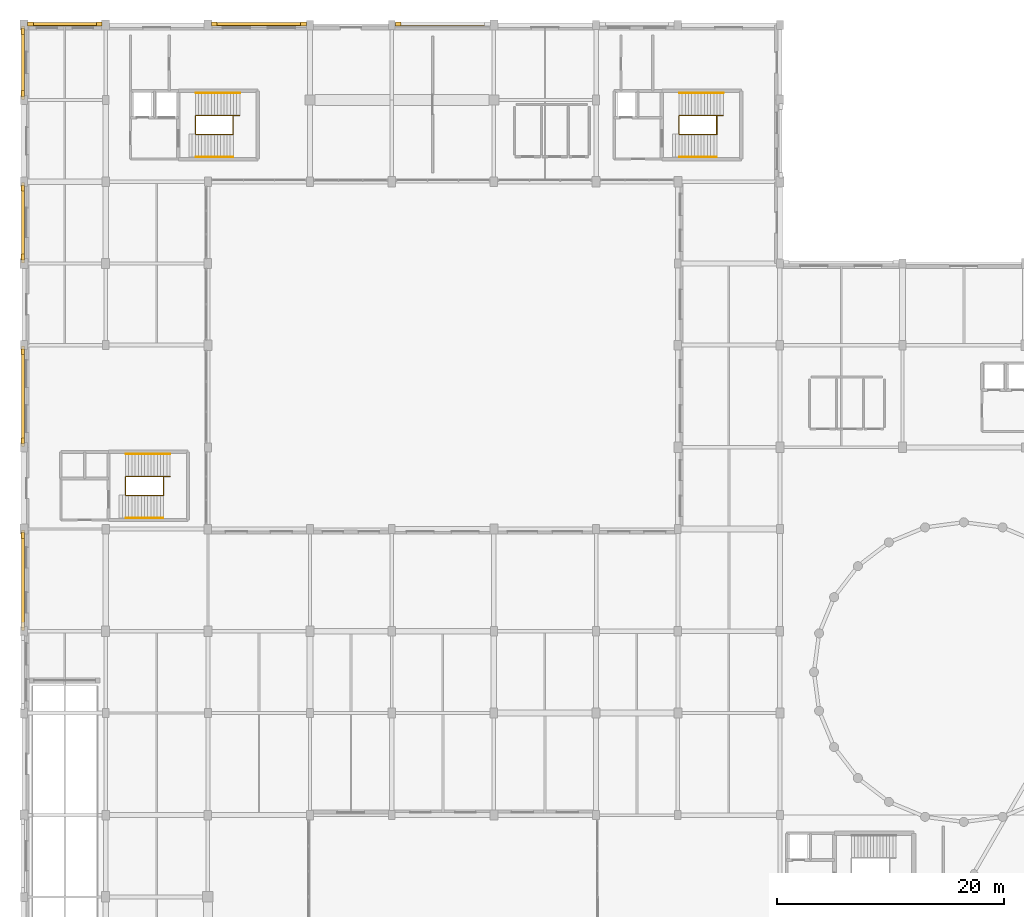
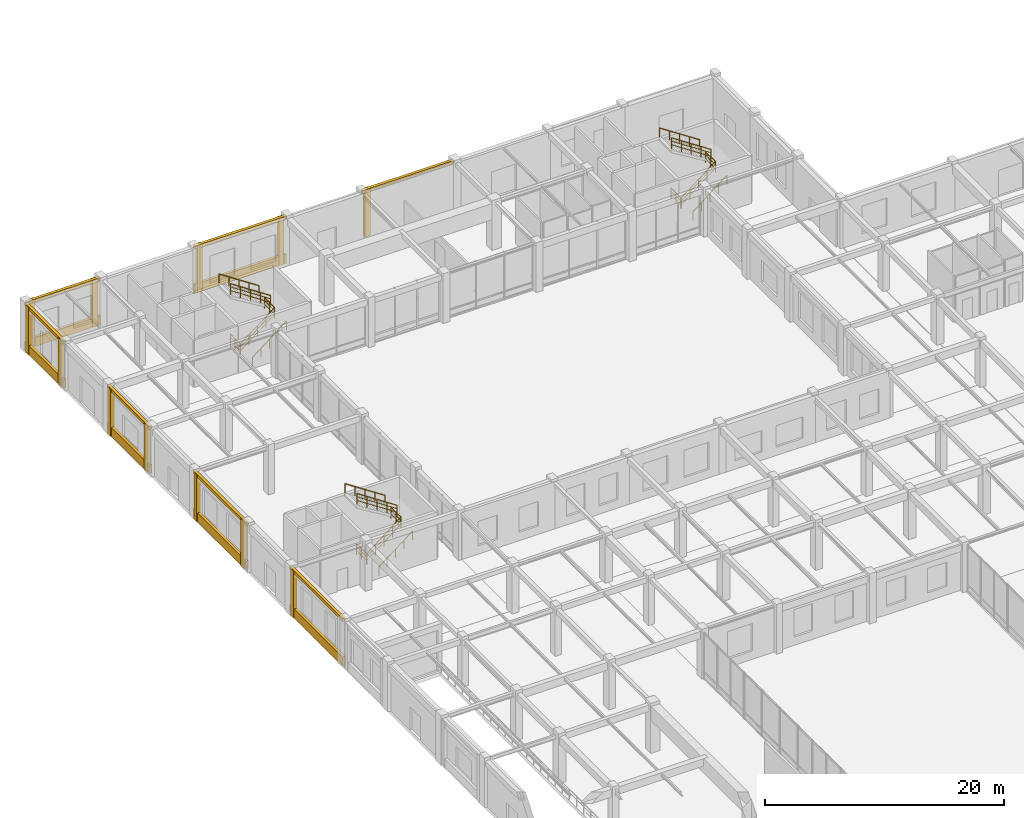
# One storey, part 61 of 64: 25 coverings, 18 railings.
"""IFC4 building model written with IfcOpenShell, lengths in metres."""

from ifc_helpers import new_model, si_unit, direction, frame, frame_2d, origin, origin_2d, place, context, subcontext, project, spatial, rectangle, circle, extrude, material, layer, layer_set, type_object, element, save


model = new_model("IFC4")

# Units and contexts
model_context = context("Model", 3, precision=1e-05, world=origin(), true_north=direction((0.0, 1.0)))
body_context = subcontext(model_context, "Body", "Model", "MODEL_VIEW")
ifc_project = project(units=[si_unit("LENGTHUNIT", "METRE"), si_unit("AREAUNIT", "SQUARE_METRE"), si_unit("VOLUMEUNIT", "CUBIC_METRE"), si_unit("PLANEANGLEUNIT", "RADIAN"), si_unit("MASSUNIT", "GRAM", prefix="KILO")], contexts=[model_context])

# Site, building, storey
site_placement = place(None, origin())
site = spatial("IfcSite", under=ifc_project, at=site_placement, CompositionType="ELEMENT")
building_placement = place(site_placement, origin())
building = spatial("IfcBuilding", under=site, at=building_placement, Name="Clarverna Civic Hall", CompositionType="ELEMENT")
storey_placement = place(building_placement, origin())
storey = spatial("IfcBuildingStorey", under=building, at=storey_placement, Name="L00", CompositionType="ELEMENT", Elevation=0.0)

# Coverings
ifc_material_1 = material(Name="Montjuic Buff Limestone Ashlar Cladding", Category="masonry")
ifc_layer = layer(ifc_material_1, 0.070068359375)
ifc_layer_set = layer_set([ifc_layer], Name="Montjuic Buff Limestone Ashlar Cladding")
covering_type = type_object("IfcCoveringType", Name="CV-CL2", PredefinedType="CLADDING", material=ifc_layer_set)
covering_1_placement = place(storey_placement, frame((-0.080078125, 62.659912109375, 4.5400390625), z_axis=(0.0, 0.0, 1.0), x_axis=(0.0, 1.0, 0.0)))
element("IfcCovering", 1, at=covering_1_placement, inside=storey, type_object=covering_type, Name="CV-CL2-017", PredefinedType="CLADDING", context=body_context, shape_type="SweptSolid", body=[
    extrude(rectangle(XDim=8.880126953125, YDim=0.280029296875, at=frame_2d((4.43994140625, 0.0))), origin(), (0.0, 0.0, 1.0), 0.300048828125),
])
covering_2_placement = place(storey_placement, frame((-0.080078125, 62.659912109375, 0.0), z_axis=(0.0, 0.0, 1.0), x_axis=(0.0, 1.0, 0.0)))
element("IfcCovering", 2, at=covering_2_placement, inside=storey, type_object=covering_type, Name="CV-CL2-018", PredefinedType="CLADDING", context=body_context, shape_type="SweptSolid", body=[
    extrude(rectangle(XDim=8.880126953125, YDim=0.260009765625, at=frame_2d((4.43994140625, 0.0))), origin(), (0.0, 0.0, 1.0), 0.919921875),
])
covering_3_placement = place(storey_placement, frame((-0.110107421875, 70.780029296875, 0.0), z_axis=(0.0, 0.0, 1.0), x_axis=(0.0, 1.0, 0.0)))
element("IfcCovering", 3, at=covering_3_placement, inside=storey, type_object=covering_type, Name="CV-CL2-020", PredefinedType="CLADDING", context=body_context, shape_type="SweptSolid", body=[
    extrude(rectangle(XDim=0.5, YDim=0.340087890625, at=frame_2d((0.25, 0.0))), origin(), (0.0, 0.0, 1.0), 4.820068359375),
])
covering_4_placement = place(storey_placement, frame((-0.080078125, 78.860107421875, 4.5400390625), z_axis=(0.0, 0.0, 1.0), x_axis=(0.0, 1.0, 0.0)))
element("IfcCovering", 4, at=covering_4_placement, inside=storey, type_object=covering_type, Name="CV-CL2-021", PredefinedType="CLADDING", context=body_context, shape_type="SweptSolid", body=[
    extrude(rectangle(XDim=8.8798828125, YDim=0.280029296875, at=frame_2d((4.43994140625, 0.0))), origin(), (0.0, 0.0, 1.0), 0.300048828125),
])
covering_5_placement = place(storey_placement, frame((-0.080078125, 78.860107421875, 0.0), z_axis=(0.0, 0.0, 1.0), x_axis=(0.0, 1.0, 0.0)))
element("IfcCovering", 5, at=covering_5_placement, inside=storey, type_object=covering_type, Name="CV-CL2-022", PredefinedType="CLADDING", context=body_context, shape_type="SweptSolid", body=[
    extrude(rectangle(XDim=8.8798828125, YDim=0.260009765625, at=frame_2d((4.43994140625, 0.0))), origin(), (0.0, 0.0, 1.0), 0.919921875),
])
for number, where, z_axis, x_axis, name in (
    (6, (-0.110107421875, 79.1201171875, 0.0), (0.0, 0.0, 1.0), (0.0, 1.0, 0.0), "CV-CL2-023"),
    (7, (-0.110107421875, 86.97998046875, 0.0), (0.0, 0.0, 1.0), (0.0, 1.0, 0.0), "CV-CL2-024"),
):
    element("IfcCovering", number, at=place(storey_placement, frame(where, z_axis=z_axis, x_axis=x_axis)), inside=storey, type_object=covering_type, Name=name, PredefinedType="CLADDING", context=body_context, shape_type="SweptSolid", body=[
        extrude(rectangle(XDim=0.5, YDim=0.340087890625, at=frame_2d((0.25, 0.0))), origin(), (0.0, 0.0, 1.0), 4.820068359375),
    ])
covering_6_placement = place(storey_placement, frame((-0.080078125, 95.06005859375, 4.5400390625), z_axis=(0.0, 0.0, 1.0), x_axis=(0.0, 1.0, 0.0)))
element("IfcCovering", 8, at=covering_6_placement, inside=storey, type_object=covering_type, Name="CV-CL2-025", PredefinedType="CLADDING", context=body_context, shape_type="SweptSolid", body=[
    extrude(rectangle(XDim=7.079833984375, YDim=0.280029296875, at=frame_2d((3.5400390625, 0.0))), origin(), (0.0, 0.0, 1.0), 0.300048828125),
])
covering_7_placement = place(storey_placement, frame((-0.080078125, 95.06005859375, 0.0), z_axis=(0.0, 0.0, 1.0), x_axis=(0.0, 1.0, 0.0)))
element("IfcCovering", 9, at=covering_7_placement, inside=storey, type_object=covering_type, Name="CV-CL2-026", PredefinedType="CLADDING", context=body_context, shape_type="SweptSolid", body=[
    extrude(rectangle(XDim=7.079833984375, YDim=0.260009765625, at=frame_2d((3.5400390625, 0.0))), origin(), (0.0, 0.0, 1.0), 0.919921875),
])
for number, where, z_axis, x_axis, name in (
    (10, (-0.110107421875, 95.320068359375, 0.0), (0.0, 0.0, 1.0), (0.0, 1.0, 0.0), "CV-CL2-027"),
    (11, (-0.110107421875, 101.3798828125, 0.0), (0.0, 0.0, 1.0), (0.0, 1.0, 0.0), "CV-CL2-028"),
):
    element("IfcCovering", number, at=place(storey_placement, frame(where, z_axis=z_axis, x_axis=x_axis)), inside=storey, type_object=covering_type, Name=name, PredefinedType="CLADDING", context=body_context, shape_type="SweptSolid", body=[
        extrude(rectangle(XDim=0.5, YDim=0.340087890625, at=frame_2d((0.25, 0.0))), origin(), (0.0, 0.0, 1.0), 4.820068359375),
    ])
covering_8_placement = place(storey_placement, frame((-0.080078125, 109.4599609375, 4.5400390625), z_axis=(0.0, 0.0, 1.0), x_axis=(0.0, 1.0, 0.0)))
element("IfcCovering", 12, at=covering_8_placement, inside=storey, type_object=covering_type, Name="CV-CL2-029", PredefinedType="CLADDING", context=body_context, shape_type="SweptSolid", body=[
    extrude(rectangle(XDim=6.47998046875, YDim=0.280029296875, at=frame_2d((3.239990234375, 0.0))), origin(), (0.0, 0.0, 1.0), 0.300048828125),
])
covering_9_placement = place(storey_placement, frame((-0.080078125, 109.4599609375, 0.0), z_axis=(0.0, 0.0, 1.0), x_axis=(0.0, 1.0, 0.0)))
element("IfcCovering", 13, at=covering_9_placement, inside=storey, type_object=covering_type, Name="CV-CL2-030", PredefinedType="CLADDING", context=body_context, shape_type="SweptSolid", body=[
    extrude(rectangle(XDim=6.47998046875, YDim=0.260009765625, at=frame_2d((3.239990234375, 0.0))), origin(), (0.0, 0.0, 1.0), 0.919921875),
])
for number, where, z_axis, x_axis, name in (
    (14, (-0.110107421875, 109.719970703125, 0.0), (0.0, 0.0, 1.0), (0.0, 1.0, 0.0), "CV-CL2-031"),
    (15, (-0.110107421875, 115.179931640625, 0.0), (0.0, 0.0, 1.0), (0.0, 1.0, 0.0), "CV-CL2-032"),
):
    element("IfcCovering", number, at=place(storey_placement, frame(where, z_axis=z_axis, x_axis=x_axis)), inside=storey, type_object=covering_type, Name=name, PredefinedType="CLADDING", context=body_context, shape_type="SweptSolid", body=[
        extrude(rectangle(XDim=0.5, YDim=0.340087890625, at=frame_2d((0.25, 0.0))), origin(), (0.0, 0.0, 1.0), 4.820068359375),
    ])
covering_10_placement = place(storey_placement, frame((0.06005859375, 116.080078125, 4.5400390625), z_axis=(0.0, 0.0, 1.0), x_axis=(1.0, 0.0, 0.0)))
element("IfcCovering", 16, at=covering_10_placement, inside=storey, type_object=covering_type, Name="CV-CL2-033", PredefinedType="CLADDING", context=body_context, shape_type="SweptSolid", body=[
    extrude(rectangle(XDim=7.079833984375, YDim=0.280029296875, at=frame_2d((3.5400390625, 0.0))), origin(), (0.0, 0.0, 1.0), 0.300048828125),
])
covering_11_placement = place(storey_placement, frame((0.06005859375, 116.080078125, 0.0), z_axis=(0.0, 0.0, 1.0), x_axis=(1.0, 0.0, 0.0)))
element("IfcCovering", 17, at=covering_11_placement, inside=storey, type_object=covering_type, Name="CV-CL2-034", PredefinedType="CLADDING", context=body_context, shape_type="SweptSolid", body=[
    extrude(rectangle(XDim=7.079833984375, YDim=0.260009765625, at=frame_2d((3.5400390625, 0.0))), origin(), (0.0, 0.0, 1.0), 0.919921875),
])
for number, where, z_axis, x_axis, name in (
    (18, (0.320068359375, 116.110107421875, 0.0), (0.0, 0.0, 1.0), (1.0, 0.0, 0.0), "CV-CL2-035"),
    (19, (6.3798828125, 116.110107421875, 0.0), (0.0, 0.0, 1.0), (1.0, 0.0, 0.0), "CV-CL2-036"),
):
    element("IfcCovering", number, at=place(storey_placement, frame(where, z_axis=z_axis, x_axis=x_axis)), inside=storey, type_object=covering_type, Name=name, PredefinedType="CLADDING", context=body_context, shape_type="SweptSolid", body=[
        extrude(rectangle(XDim=0.5, YDim=0.340087890625, at=frame_2d((0.25, 0.0))), origin(), (0.0, 0.0, 1.0), 4.820068359375),
    ])
covering_12_placement = place(storey_placement, frame((16.260009765625, 116.080078125, 4.5400390625), z_axis=(0.0, 0.0, 1.0), x_axis=(1.0, 0.0, 0.0)))
element("IfcCovering", 20, at=covering_12_placement, inside=storey, type_object=covering_type, Name="CV-CL2-037", PredefinedType="CLADDING", context=body_context, shape_type="SweptSolid", body=[
    extrude(rectangle(XDim=8.8798828125, YDim=0.280029296875, at=frame_2d((4.43994140625, 0.0))), origin(), (0.0, 0.0, 1.0), 0.300048828125),
])
covering_13_placement = place(storey_placement, frame((16.260009765625, 116.080078125, 0.0), z_axis=(0.0, 0.0, 1.0), x_axis=(1.0, 0.0, 0.0)))
element("IfcCovering", 21, at=covering_13_placement, inside=storey, type_object=covering_type, Name="CV-CL2-038", PredefinedType="CLADDING", context=body_context, shape_type="SweptSolid", body=[
    extrude(rectangle(XDim=8.8798828125, YDim=0.260009765625, at=frame_2d((4.43994140625, 0.0))), origin(), (0.0, 0.0, 1.0), 0.919921875),
])
for number, where, z_axis, x_axis, name in (
    (22, (16.52001953125, 116.110107421875, 0.0), (0.0, 0.0, 1.0), (1.0, 0.0, 0.0), "CV-CL2-039"),
    (23, (24.3798828125, 116.110107421875, 0.0), (0.0, 0.0, 1.0), (1.0, 0.0, 0.0), "CV-CL2-040"),
):
    element("IfcCovering", number, at=place(storey_placement, frame(where, z_axis=z_axis, x_axis=x_axis)), inside=storey, type_object=covering_type, Name=name, PredefinedType="CLADDING", context=body_context, shape_type="SweptSolid", body=[
        extrude(rectangle(XDim=0.5, YDim=0.340087890625, at=frame_2d((0.25, 0.0))), origin(), (0.0, 0.0, 1.0), 4.820068359375),
    ])
covering_14_placement = place(storey_placement, frame((32.4599609375, 116.080078125, 4.5400390625), z_axis=(0.0, 0.0, 1.0), x_axis=(1.0, 0.0, 0.0)))
element("IfcCovering", 24, at=covering_14_placement, inside=storey, type_object=covering_type, Name="CV-CL2-041", PredefinedType="CLADDING", context=body_context, shape_type="SweptSolid", body=[
    extrude(rectangle(XDim=8.880126953125, YDim=0.280029296875, at=frame_2d((4.43994140625, 0.0))), origin(), (0.0, 0.0, 1.0), 0.300048828125),
])
covering_15_placement = place(storey_placement, frame((32.719970703125, 116.110107421875, 0.0), z_axis=(0.0, 0.0, 1.0), x_axis=(1.0, 0.0, 0.0)))
element("IfcCovering", 25, at=covering_15_placement, inside=storey, type_object=covering_type, Name="CV-CL2-043", PredefinedType="CLADDING", context=body_context, shape_type="SweptSolid", body=[
    extrude(rectangle(XDim=0.5, YDim=0.340087890625, at=frame_2d((0.25, 0.0))), origin(), (0.0, 0.0, 1.0), 4.820068359375),
])

# Railings
ifc_material_2 = material(Name="Anodised Bronze Architectural Balustrade")
railing_type_1 = type_object("IfcRailingType", Name="GR-02", PredefinedType="BALUSTRADE", material=ifc_material_2)
railing_1_placement = place(storey_placement, frame((15.14990234375, 106.360107421875, 0.0)))
element("IfcRailing", 26, at=railing_1_placement, inside=storey, type_object=railing_type_1, Name="GR-02-103", PredefinedType="BALUSTRADE", context=body_context, shape_type="SweptSolid", body=[
    extrude(circle(Radius=0.02392578125, at=origin_2d()), frame((0.0, 0.0, 1.09619140625), z_axis=(0.789942972042, 0.0, 0.613180316809), x_axis=(0.0, 1.0, 0.0)), (0.0, 0.0, 1.0), 4.15869140625),
    extrude(circle(Radius=0.011962890625, at=origin_2d()), frame((0.0, 0.0, 0.39208984375), z_axis=(0.789942972042, 0.0, 0.613180316809), x_axis=(0.0, 1.0, 0.0)), (0.0, 0.0, 1.0), 4.15869140625),
    extrude(circle(Radius=0.011962890625, at=origin_2d()), frame((0.0, 0.0, 0.76171875), z_axis=(0.789942972042, 0.0, 0.613180316809), x_axis=(0.0, 1.0, 0.0)), (0.0, 0.0, 1.0), 4.15869140625),
    extrude(circle(Radius=0.02099609375, at=origin_2d()), origin(), (0.0, 0.0, 1.0), 1.072021484375),
    extrude(circle(Radius=0.02099609375, at=origin_2d()), frame((0.8212890625, 0.0, 0.637451171875)), (0.0, 0.0, 1.0), 1.072021484375),
    extrude(circle(Radius=0.02099609375, at=origin_2d()), frame((1.642578125, 0.0, 1.27490234375)), (0.0, 0.0, 1.0), 1.072021484375),
    extrude(circle(Radius=0.02099609375, at=origin_2d()), frame((2.4638671875, 0.0, 1.91259765625)), (0.0, 0.0, 1.0), 1.072021484375),
    extrude(circle(Radius=0.02099609375, at=origin_2d()), frame((3.28515625, 0.0, 2.550048828125)), (0.0, 0.0, 1.0), 1.072021484375),
])
railing_2_placement = place(storey_placement, frame((18.43505859375, 106.360107421875, 2.550048828125)))
element("IfcRailing", 27, at=railing_2_placement, inside=storey, type_object=railing_type_1, Name="GR-02-104", PredefinedType="BALUSTRADE", context=body_context, shape_type="SweptSolid", body=[
    extrude(circle(Radius=0.02392578125, at=origin_2d()), frame((0.0, 0.0, 1.09619140625), z_axis=(0.0, 1.0, 0.0), x_axis=(-1.0, 0.0, 0.0)), (0.0, 0.0, 1.0), 1.679931640625),
    extrude(circle(Radius=0.011962890625, at=origin_2d()), frame((0.0, 0.0, 0.39208984375), z_axis=(0.0, 1.0, 0.0), x_axis=(-1.0, 0.0, 0.0)), (0.0, 0.0, 1.0), 1.679931640625),
    extrude(circle(Radius=0.011962890625, at=origin_2d()), frame((0.0, 0.0, 0.76171875), z_axis=(0.0, 1.0, 0.0), x_axis=(-1.0, 0.0, 0.0)), (0.0, 0.0, 1.0), 1.679931640625),
    extrude(circle(Radius=0.02099609375, at=origin_2d()), origin(), (0.0, 0.0, 1.0), 1.072021484375),
    extrude(circle(Radius=0.02099609375, at=origin_2d()), frame((0.0, 0.83984375, 0.0)), (0.0, 0.0, 1.0), 1.072021484375),
    extrude(circle(Radius=0.02099609375, at=origin_2d()), frame((0.0, 1.679931640625, 0.0)), (0.0, 0.0, 1.0), 1.072021484375),
])
railing_3_placement = place(storey_placement, frame((19.0048828125, 108.0400390625, 2.550048828125)))
element("IfcRailing", 28, at=railing_3_placement, inside=storey, type_object=railing_type_1, Name="GR-02-105", PredefinedType="BALUSTRADE", context=body_context, shape_type="SweptSolid", body=[
    extrude(circle(Radius=0.02392578125, at=origin_2d()), frame((0.0, 0.0, 1.09619140625), z_axis=(-0.834035861889, 0.0, 0.551710232896), x_axis=(0.0, -1.0, 0.0)), (0.0, 0.0, 1.0), 4.6220703125),
    extrude(circle(Radius=0.011962890625, at=origin_2d()), frame((0.0, 0.0, 0.39208984375), z_axis=(-0.834035861889, 0.0, 0.551710232896), x_axis=(0.0, -1.0, 0.0)), (0.0, 0.0, 1.0), 4.6220703125),
    extrude(circle(Radius=0.011962890625, at=origin_2d()), frame((0.0, 0.0, 0.76171875), z_axis=(-0.834035861889, 0.0, 0.551710232896), x_axis=(0.0, -1.0, 0.0)), (0.0, 0.0, 1.0), 4.6220703125),
    extrude(circle(Radius=0.02099609375, at=origin_2d()), origin(), (0.0, 0.0, 1.0), 1.072021484375),
    extrude(circle(Radius=0.02099609375, at=origin_2d()), frame((-0.9638671875, 0.0, 0.637451171875)), (0.0, 0.0, 1.0), 1.072021484375),
    extrude(circle(Radius=0.02099609375, at=origin_2d()), frame((-1.927490234375, 0.0, 1.27490234375)), (0.0, 0.0, 1.0), 1.072021484375),
    extrude(circle(Radius=0.02099609375, at=origin_2d()), frame((-2.89111328125, 0.0, 1.91259765625)), (0.0, 0.0, 1.0), 1.072021484375),
    extrude(circle(Radius=0.02099609375, at=origin_2d()), frame((-3.85498046875, 0.0, 2.550048828125)), (0.0, 0.0, 1.0), 1.072021484375),
])
railing_4_placement = place(storey_placement, frame((15.110107421875, 106.39990234375, 0.0)))
element("IfcRailing", 29, at=railing_4_placement, inside=storey, type_object=railing_type_1, Name="GR-02-106", PredefinedType="BALUSTRADE", context=body_context, shape_type="SweptSolid", body=[
    extrude(circle(Radius=0.02392578125, at=origin_2d()), frame((0.0, 0.0, 1.09619140625), z_axis=(0.0, 1.0, 0.0), x_axis=(-1.0, 0.0, 0.0)), (0.0, 0.0, 1.0), 1.60009765625),
    extrude(circle(Radius=0.011962890625, at=origin_2d()), frame((0.0, 0.0, 0.39208984375), z_axis=(0.0, 1.0, 0.0), x_axis=(-1.0, 0.0, 0.0)), (0.0, 0.0, 1.0), 1.60009765625),
    extrude(circle(Radius=0.011962890625, at=origin_2d()), frame((0.0, 0.0, 0.76171875), z_axis=(0.0, 1.0, 0.0), x_axis=(-1.0, 0.0, 0.0)), (0.0, 0.0, 1.0), 1.60009765625),
    extrude(circle(Radius=0.02099609375, at=origin_2d()), origin(), (0.0, 0.0, 1.0), 1.072021484375),
    extrude(circle(Radius=0.02099609375, at=origin_2d()), frame((0.0, 0.800048828125, 0.0)), (0.0, 0.0, 1.0), 1.072021484375),
    extrude(circle(Radius=0.02099609375, at=origin_2d()), frame((0.0, 1.60009765625, 0.0)), (0.0, 0.0, 1.0), 1.072021484375),
])
railing_5_placement = place(storey_placement, frame((57.75, 106.360107421875, 0.0)))
element("IfcRailing", 30, at=railing_5_placement, inside=storey, type_object=railing_type_1, Name="GR-02-179", PredefinedType="BALUSTRADE", context=body_context, shape_type="SweptSolid", body=[
    extrude(circle(Radius=0.02392578125, at=origin_2d()), frame((0.0, 0.0, 1.09619140625), z_axis=(0.78992089777, 0.0, 0.613208753416), x_axis=(0.0, 1.0, 0.0)), (0.0, 0.0, 1.0), 4.158447265625),
    extrude(circle(Radius=0.011962890625, at=origin_2d()), frame((0.0, 0.0, 0.39208984375), z_axis=(0.78992089777, 0.0, 0.613208753416), x_axis=(0.0, 1.0, 0.0)), (0.0, 0.0, 1.0), 4.158447265625),
    extrude(circle(Radius=0.011962890625, at=origin_2d()), frame((0.0, 0.0, 0.76171875), z_axis=(0.78992089777, 0.0, 0.613208753416), x_axis=(0.0, 1.0, 0.0)), (0.0, 0.0, 1.0), 4.158447265625),
    extrude(circle(Radius=0.02099609375, at=origin_2d()), origin(), (0.0, 0.0, 1.0), 1.072021484375),
    extrude(circle(Radius=0.02099609375, at=origin_2d()), frame((0.8212890625, 0.0, 0.637451171875)), (0.0, 0.0, 1.0), 1.072021484375),
    extrude(circle(Radius=0.02099609375, at=origin_2d()), frame((1.642578125, 0.0, 1.27490234375)), (0.0, 0.0, 1.0), 1.072021484375),
    extrude(circle(Radius=0.02099609375, at=origin_2d()), frame((2.463623046875, 0.0, 1.91259765625)), (0.0, 0.0, 1.0), 1.072021484375),
    extrude(circle(Radius=0.02099609375, at=origin_2d()), frame((3.284912109375, 0.0, 2.550048828125)), (0.0, 0.0, 1.0), 1.072021484375),
])
railing_6_placement = place(storey_placement, frame((61.034912109375, 106.360107421875, 2.550048828125)))
element("IfcRailing", 31, at=railing_6_placement, inside=storey, type_object=railing_type_1, Name="GR-02-180", PredefinedType="BALUSTRADE", context=body_context, shape_type="SweptSolid", body=[
    extrude(circle(Radius=0.02392578125, at=origin_2d()), frame((0.0, 0.0, 1.09619140625), z_axis=(0.0, 1.0, 0.0), x_axis=(-1.0, 0.0, 0.0)), (0.0, 0.0, 1.0), 1.679931640625),
    extrude(circle(Radius=0.011962890625, at=origin_2d()), frame((0.0, 0.0, 0.39208984375), z_axis=(0.0, 1.0, 0.0), x_axis=(-1.0, 0.0, 0.0)), (0.0, 0.0, 1.0), 1.679931640625),
    extrude(circle(Radius=0.011962890625, at=origin_2d()), frame((0.0, 0.0, 0.76171875), z_axis=(0.0, 1.0, 0.0), x_axis=(-1.0, 0.0, 0.0)), (0.0, 0.0, 1.0), 1.679931640625),
    extrude(circle(Radius=0.02099609375, at=origin_2d()), origin(), (0.0, 0.0, 1.0), 1.072021484375),
    extrude(circle(Radius=0.02099609375, at=origin_2d()), frame((0.0, 0.83984375, 0.0)), (0.0, 0.0, 1.0), 1.072021484375),
    extrude(circle(Radius=0.02099609375, at=origin_2d()), frame((0.0, 1.679931640625, 0.0)), (0.0, 0.0, 1.0), 1.072021484375),
])
railing_7_placement = place(storey_placement, frame((61.60498046875, 108.0400390625, 2.550048828125)))
element("IfcRailing", 32, at=railing_7_placement, inside=storey, type_object=railing_type_1, Name="GR-02-181", PredefinedType="BALUSTRADE", context=body_context, shape_type="SweptSolid", body=[
    extrude(circle(Radius=0.02392578125, at=origin_2d()), frame((0.0, 0.0, 1.09619140625), z_axis=(-0.834035861889, 0.0, 0.551710232896), x_axis=(0.0, -1.0, 0.0)), (0.0, 0.0, 1.0), 4.6220703125),
    extrude(circle(Radius=0.011962890625, at=origin_2d()), frame((0.0, 0.0, 0.39208984375), z_axis=(-0.834035861889, 0.0, 0.551710232896), x_axis=(0.0, -1.0, 0.0)), (0.0, 0.0, 1.0), 4.6220703125),
    extrude(circle(Radius=0.011962890625, at=origin_2d()), frame((0.0, 0.0, 0.76171875), z_axis=(-0.834035861889, 0.0, 0.551710232896), x_axis=(0.0, -1.0, 0.0)), (0.0, 0.0, 1.0), 4.6220703125),
    extrude(circle(Radius=0.02099609375, at=origin_2d()), origin(), (0.0, 0.0, 1.0), 1.072021484375),
    extrude(circle(Radius=0.02099609375, at=origin_2d()), frame((-0.9638671875, 0.0, 0.637451171875)), (0.0, 0.0, 1.0), 1.072021484375),
    extrude(circle(Radius=0.02099609375, at=origin_2d()), frame((-1.927490234375, 0.0, 1.27490234375)), (0.0, 0.0, 1.0), 1.072021484375),
    extrude(circle(Radius=0.02099609375, at=origin_2d()), frame((-2.89111328125, 0.0, 1.91259765625)), (0.0, 0.0, 1.0), 1.072021484375),
    extrude(circle(Radius=0.02099609375, at=origin_2d()), frame((-3.85498046875, 0.0, 2.550048828125)), (0.0, 0.0, 1.0), 1.072021484375),
])
railing_8_placement = place(storey_placement, frame((57.7099609375, 106.39990234375, 0.0)))
element("IfcRailing", 33, at=railing_8_placement, inside=storey, type_object=railing_type_1, Name="GR-02-182", PredefinedType="BALUSTRADE", context=body_context, shape_type="SweptSolid", body=[
    extrude(circle(Radius=0.02392578125, at=origin_2d()), frame((0.0, 0.0, 1.09619140625), z_axis=(0.0, 1.0, 0.0), x_axis=(-1.0, 0.0, 0.0)), (0.0, 0.0, 1.0), 1.60009765625),
    extrude(circle(Radius=0.011962890625, at=origin_2d()), frame((0.0, 0.0, 0.39208984375), z_axis=(0.0, 1.0, 0.0), x_axis=(-1.0, 0.0, 0.0)), (0.0, 0.0, 1.0), 1.60009765625),
    extrude(circle(Radius=0.011962890625, at=origin_2d()), frame((0.0, 0.0, 0.76171875), z_axis=(0.0, 1.0, 0.0), x_axis=(-1.0, 0.0, 0.0)), (0.0, 0.0, 1.0), 1.60009765625),
    extrude(circle(Radius=0.02099609375, at=origin_2d()), origin(), (0.0, 0.0, 1.0), 1.072021484375),
    extrude(circle(Radius=0.02099609375, at=origin_2d()), frame((0.0, 0.800048828125, 0.0)), (0.0, 0.0, 1.0), 1.072021484375),
    extrude(circle(Radius=0.02099609375, at=origin_2d()), frame((0.0, 1.60009765625, 0.0)), (0.0, 0.0, 1.0), 1.072021484375),
])
railing_9_placement = place(storey_placement, frame((9.0, 74.56005859375, 0.0)))
element("IfcRailing", 34, at=railing_9_placement, inside=storey, type_object=railing_type_1, Name="GR-02-199", PredefinedType="BALUSTRADE", context=body_context, shape_type="SweptSolid", body=[
    extrude(circle(Radius=0.02392578125, at=origin_2d()), frame((0.0, 0.0, 1.09619140625), z_axis=(0.78992089777, 0.0, 0.613208753416), x_axis=(0.0, 1.0, 0.0)), (0.0, 0.0, 1.0), 4.158447265625),
    extrude(circle(Radius=0.011962890625, at=origin_2d()), frame((0.0, 0.0, 0.39208984375), z_axis=(0.78992089777, 0.0, 0.613208753416), x_axis=(0.0, 1.0, 0.0)), (0.0, 0.0, 1.0), 4.158447265625),
    extrude(circle(Radius=0.011962890625, at=origin_2d()), frame((0.0, 0.0, 0.76171875), z_axis=(0.78992089777, 0.0, 0.613208753416), x_axis=(0.0, 1.0, 0.0)), (0.0, 0.0, 1.0), 4.158447265625),
    extrude(circle(Radius=0.02099609375, at=origin_2d()), origin(), (0.0, 0.0, 1.0), 1.072021484375),
    extrude(circle(Radius=0.02099609375, at=origin_2d()), frame((0.8212890625, 0.0, 0.637451171875)), (0.0, 0.0, 1.0), 1.072021484375),
    extrude(circle(Radius=0.02099609375, at=origin_2d()), frame((1.642578125, 0.0, 1.27490234375)), (0.0, 0.0, 1.0), 1.072021484375),
    extrude(circle(Radius=0.02099609375, at=origin_2d()), frame((2.463623046875, 0.0, 1.91259765625)), (0.0, 0.0, 1.0), 1.072021484375),
    extrude(circle(Radius=0.02099609375, at=origin_2d()), frame((3.284912109375, 0.0, 2.550048828125)), (0.0, 0.0, 1.0), 1.072021484375),
])
railing_10_placement = place(storey_placement, frame((12.284912109375, 74.56005859375, 2.550048828125)))
element("IfcRailing", 35, at=railing_10_placement, inside=storey, type_object=railing_type_1, Name="GR-02-200", PredefinedType="BALUSTRADE", context=body_context, shape_type="SweptSolid", body=[
    extrude(circle(Radius=0.02392578125, at=origin_2d()), frame((0.0, 0.0, 1.09619140625), z_axis=(0.0, 1.0, 0.0), x_axis=(-1.0, 0.0, 0.0)), (0.0, 0.0, 1.0), 1.679931640625),
    extrude(circle(Radius=0.011962890625, at=origin_2d()), frame((0.0, 0.0, 0.39208984375), z_axis=(0.0, 1.0, 0.0), x_axis=(-1.0, 0.0, 0.0)), (0.0, 0.0, 1.0), 1.679931640625),
    extrude(circle(Radius=0.011962890625, at=origin_2d()), frame((0.0, 0.0, 0.76171875), z_axis=(0.0, 1.0, 0.0), x_axis=(-1.0, 0.0, 0.0)), (0.0, 0.0, 1.0), 1.679931640625),
    extrude(circle(Radius=0.02099609375, at=origin_2d()), origin(), (0.0, 0.0, 1.0), 1.072021484375),
    extrude(circle(Radius=0.02099609375, at=origin_2d()), frame((0.0, 0.83984375, 0.0)), (0.0, 0.0, 1.0), 1.072021484375),
    extrude(circle(Radius=0.02099609375, at=origin_2d()), frame((0.0, 1.679931640625, 0.0)), (0.0, 0.0, 1.0), 1.072021484375),
])
railing_11_placement = place(storey_placement, frame((12.85498046875, 76.239990234375, 2.550048828125)))
element("IfcRailing", 36, at=railing_11_placement, inside=storey, type_object=railing_type_1, Name="GR-02-201", PredefinedType="BALUSTRADE", context=body_context, shape_type="SweptSolid", body=[
    extrude(circle(Radius=0.02392578125, at=origin_2d()), frame((0.0, 0.0, 1.09619140625), z_axis=(-0.834035861889, 0.0, 0.551710232896), x_axis=(0.0, -1.0, 0.0)), (0.0, 0.0, 1.0), 4.6220703125),
    extrude(circle(Radius=0.011962890625, at=origin_2d()), frame((0.0, 0.0, 0.39208984375), z_axis=(-0.834035861889, 0.0, 0.551710232896), x_axis=(0.0, -1.0, 0.0)), (0.0, 0.0, 1.0), 4.6220703125),
    extrude(circle(Radius=0.011962890625, at=origin_2d()), frame((0.0, 0.0, 0.76171875), z_axis=(-0.834035861889, 0.0, 0.551710232896), x_axis=(0.0, -1.0, 0.0)), (0.0, 0.0, 1.0), 4.6220703125),
    extrude(circle(Radius=0.02099609375, at=origin_2d()), origin(), (0.0, 0.0, 1.0), 1.072021484375),
    extrude(circle(Radius=0.02099609375, at=origin_2d()), frame((-0.9638671875, 0.0, 0.637451171875)), (0.0, 0.0, 1.0), 1.072021484375),
    extrude(circle(Radius=0.02099609375, at=origin_2d()), frame((-1.927490234375, 0.0, 1.27490234375)), (0.0, 0.0, 1.0), 1.072021484375),
    extrude(circle(Radius=0.02099609375, at=origin_2d()), frame((-2.89111328125, 0.0, 1.91259765625)), (0.0, 0.0, 1.0), 1.072021484375),
    extrude(circle(Radius=0.02099609375, at=origin_2d()), frame((-3.85498046875, 0.0, 2.550048828125)), (0.0, 0.0, 1.0), 1.072021484375),
])
railing_12_placement = place(storey_placement, frame((8.9599609375, 74.60009765625, 0.0)))
element("IfcRailing", 37, at=railing_12_placement, inside=storey, type_object=railing_type_1, Name="GR-02-202", PredefinedType="BALUSTRADE", context=body_context, shape_type="SweptSolid", body=[
    extrude(circle(Radius=0.02392578125, at=origin_2d()), frame((0.0, 0.0, 1.09619140625), z_axis=(0.0, 1.0, 0.0), x_axis=(-1.0, 0.0, 0.0)), (0.0, 0.0, 1.0), 1.599853515625),
    extrude(circle(Radius=0.011962890625, at=origin_2d()), frame((0.0, 0.0, 0.39208984375), z_axis=(0.0, 1.0, 0.0), x_axis=(-1.0, 0.0, 0.0)), (0.0, 0.0, 1.0), 1.599853515625),
    extrude(circle(Radius=0.011962890625, at=origin_2d()), frame((0.0, 0.0, 0.76171875), z_axis=(0.0, 1.0, 0.0), x_axis=(-1.0, 0.0, 0.0)), (0.0, 0.0, 1.0), 1.599853515625),
    extrude(circle(Radius=0.02099609375, at=origin_2d()), origin(), (0.0, 0.0, 1.0), 1.072021484375),
    extrude(circle(Radius=0.02099609375, at=origin_2d()), frame((0.0, 0.7998046875, 0.0)), (0.0, 0.0, 1.0), 1.072021484375),
    extrude(circle(Radius=0.02099609375, at=origin_2d()), frame((0.0, 1.599853515625, 0.0)), (0.0, 0.0, 1.0), 1.072021484375),
])
ifc_material_3 = material(Name="Anodised Bronze Continuous Handrail")
railing_type_2 = type_object("IfcRailingType", Name="HR-01", PredefinedType="HANDRAIL", material=ifc_material_3)
railing_13_placement = place(storey_placement, frame((15.14990234375, 104.3798828125, 0.0)))
element("IfcRailing", 38, at=railing_13_placement, inside=storey, type_object=railing_type_2, Name="HR-01-051", PredefinedType="HANDRAIL", context=body_context, shape_type="SweptSolid", body=[
    extrude(circle(Radius=0.02392578125, at=origin_2d()), frame((0.0, 0.0, 0.89599609375), z_axis=(0.788568541041, 0.0, 0.614946872568), x_axis=(0.0, 1.0, 0.0)), (0.0, 0.0, 1.0), 4.146728515625),
    extrude(circle(Radius=0.02099609375, at=origin_2d()), origin(), (0.0, 0.0, 1.0), 0.871826171875),
    extrude(circle(Radius=0.02099609375, at=origin_2d()), frame((0.8173828125, 0.0, 0.637451171875)), (0.0, 0.0, 1.0), 0.871826171875),
    extrude(circle(Radius=0.02099609375, at=origin_2d()), frame((1.635009765625, 0.0, 1.27490234375)), (0.0, 0.0, 1.0), 0.871826171875),
    extrude(circle(Radius=0.02099609375, at=origin_2d()), frame((2.45263671875, 0.0, 1.91259765625)), (0.0, 0.0, 1.0), 0.871826171875),
    extrude(circle(Radius=0.02099609375, at=origin_2d()), frame((3.27001953125, 0.0, 2.550048828125)), (0.0, 0.0, 1.0), 0.871826171875),
])
railing_14_placement = place(storey_placement, frame((19.02001953125, 110.02001953125, 2.550048828125)))
element("IfcRailing", 39, at=railing_14_placement, inside=storey, type_object=railing_type_2, Name="HR-01-052", PredefinedType="HANDRAIL", context=body_context, shape_type="SweptSolid", body=[
    extrude(circle(Radius=0.02392578125, at=origin_2d()), frame((0.0, 0.0, 0.89599609375), z_axis=(-0.83502861022, 0.0, 0.550206524965), x_axis=(0.0, -1.0, 0.0)), (0.0, 0.0, 1.0), 4.634765625),
    extrude(circle(Radius=0.02099609375, at=origin_2d()), origin(), (0.0, 0.0, 1.0), 0.871826171875),
    extrude(circle(Radius=0.02099609375, at=origin_2d()), frame((-0.967529296875, 0.0, 0.637451171875)), (0.0, 0.0, 1.0), 0.871826171875),
    extrude(circle(Radius=0.02099609375, at=origin_2d()), frame((-1.93505859375, 0.0, 1.27490234375)), (0.0, 0.0, 1.0), 0.871826171875),
    extrude(circle(Radius=0.02099609375, at=origin_2d()), frame((-2.902587890625, 0.0, 1.91259765625)), (0.0, 0.0, 1.0), 0.871826171875),
    extrude(circle(Radius=0.02099609375, at=origin_2d()), frame((-3.8701171875, 0.0, 2.550048828125)), (0.0, 0.0, 1.0), 0.871826171875),
])
railing_15_placement = place(storey_placement, frame((57.75, 104.3798828125, 0.0)))
element("IfcRailing", 40, at=railing_15_placement, inside=storey, type_object=railing_type_2, Name="HR-01-089", PredefinedType="HANDRAIL", context=body_context, shape_type="SweptSolid", body=[
    extrude(circle(Radius=0.02392578125, at=origin_2d()), frame((0.0, 0.0, 0.89599609375), z_axis=(0.788568541041, 0.0, 0.614946872568), x_axis=(0.0, 1.0, 0.0)), (0.0, 0.0, 1.0), 4.146728515625),
    extrude(circle(Radius=0.02099609375, at=origin_2d()), origin(), (0.0, 0.0, 1.0), 0.871826171875),
    extrude(circle(Radius=0.02099609375, at=origin_2d()), frame((0.8173828125, 0.0, 0.637451171875)), (0.0, 0.0, 1.0), 0.871826171875),
    extrude(circle(Radius=0.02099609375, at=origin_2d()), frame((1.635009765625, 0.0, 1.27490234375)), (0.0, 0.0, 1.0), 0.871826171875),
    extrude(circle(Radius=0.02099609375, at=origin_2d()), frame((2.45263671875, 0.0, 1.91259765625)), (0.0, 0.0, 1.0), 0.871826171875),
    extrude(circle(Radius=0.02099609375, at=origin_2d()), frame((3.27001953125, 0.0, 2.550048828125)), (0.0, 0.0, 1.0), 0.871826171875),
])
railing_16_placement = place(storey_placement, frame((61.6201171875, 110.02001953125, 2.550048828125)))
element("IfcRailing", 41, at=railing_16_placement, inside=storey, type_object=railing_type_2, Name="HR-01-090", PredefinedType="HANDRAIL", context=body_context, shape_type="SweptSolid", body=[
    extrude(circle(Radius=0.02392578125, at=origin_2d()), frame((0.0, 0.0, 0.89599609375), z_axis=(-0.83502861022, 0.0, 0.550206524965), x_axis=(0.0, -1.0, 0.0)), (0.0, 0.0, 1.0), 4.634765625),
    extrude(circle(Radius=0.02099609375, at=origin_2d()), origin(), (0.0, 0.0, 1.0), 0.871826171875),
    extrude(circle(Radius=0.02099609375, at=origin_2d()), frame((-0.967529296875, 0.0, 0.637451171875)), (0.0, 0.0, 1.0), 0.871826171875),
    extrude(circle(Radius=0.02099609375, at=origin_2d()), frame((-1.93505859375, 0.0, 1.27490234375)), (0.0, 0.0, 1.0), 0.871826171875),
    extrude(circle(Radius=0.02099609375, at=origin_2d()), frame((-2.902587890625, 0.0, 1.91259765625)), (0.0, 0.0, 1.0), 0.871826171875),
    extrude(circle(Radius=0.02099609375, at=origin_2d()), frame((-3.8701171875, 0.0, 2.550048828125)), (0.0, 0.0, 1.0), 0.871826171875),
])
railing_17_placement = place(storey_placement, frame((9.0, 72.580078125, 0.0)))
element("IfcRailing", 42, at=railing_17_placement, inside=storey, type_object=railing_type_2, Name="HR-01-099", PredefinedType="HANDRAIL", context=body_context, shape_type="SweptSolid", body=[
    extrude(circle(Radius=0.02392578125, at=origin_2d()), frame((0.0, 0.0, 0.89599609375), z_axis=(0.788568541041, 0.0, 0.614946872568), x_axis=(0.0, 1.0, 0.0)), (0.0, 0.0, 1.0), 4.146728515625),
    extrude(circle(Radius=0.02099609375, at=origin_2d()), origin(), (0.0, 0.0, 1.0), 0.871826171875),
    extrude(circle(Radius=0.02099609375, at=origin_2d()), frame((0.8173828125, 0.0, 0.637451171875)), (0.0, 0.0, 1.0), 0.871826171875),
    extrude(circle(Radius=0.02099609375, at=origin_2d()), frame((1.635009765625, 0.0, 1.27490234375)), (0.0, 0.0, 1.0), 0.871826171875),
    extrude(circle(Radius=0.02099609375, at=origin_2d()), frame((2.45263671875, 0.0, 1.91259765625)), (0.0, 0.0, 1.0), 0.871826171875),
    extrude(circle(Radius=0.02099609375, at=origin_2d()), frame((3.27001953125, 0.0, 2.550048828125)), (0.0, 0.0, 1.0), 0.871826171875),
])
railing_18_placement = place(storey_placement, frame((12.8701171875, 78.219970703125, 2.550048828125)))
element("IfcRailing", 43, at=railing_18_placement, inside=storey, type_object=railing_type_2, Name="HR-01-100", PredefinedType="HANDRAIL", context=body_context, shape_type="SweptSolid", body=[
    extrude(circle(Radius=0.02392578125, at=origin_2d()), frame((0.0, 0.0, 0.89599609375), z_axis=(-0.83502861022, 0.0, 0.550206524965), x_axis=(0.0, -1.0, 0.0)), (0.0, 0.0, 1.0), 4.634765625),
    extrude(circle(Radius=0.02099609375, at=origin_2d()), origin(), (0.0, 0.0, 1.0), 0.871826171875),
    extrude(circle(Radius=0.02099609375, at=origin_2d()), frame((-0.967529296875, 0.0, 0.637451171875)), (0.0, 0.0, 1.0), 0.871826171875),
    extrude(circle(Radius=0.02099609375, at=origin_2d()), frame((-1.93505859375, 0.0, 1.27490234375)), (0.0, 0.0, 1.0), 0.871826171875),
    extrude(circle(Radius=0.02099609375, at=origin_2d()), frame((-2.902587890625, 0.0, 1.91259765625)), (0.0, 0.0, 1.0), 0.871826171875),
    extrude(circle(Radius=0.02099609375, at=origin_2d()), frame((-3.8701171875, 0.0, 2.550048828125)), (0.0, 0.0, 1.0), 0.871826171875),
])

save(model, "model.ifc")
